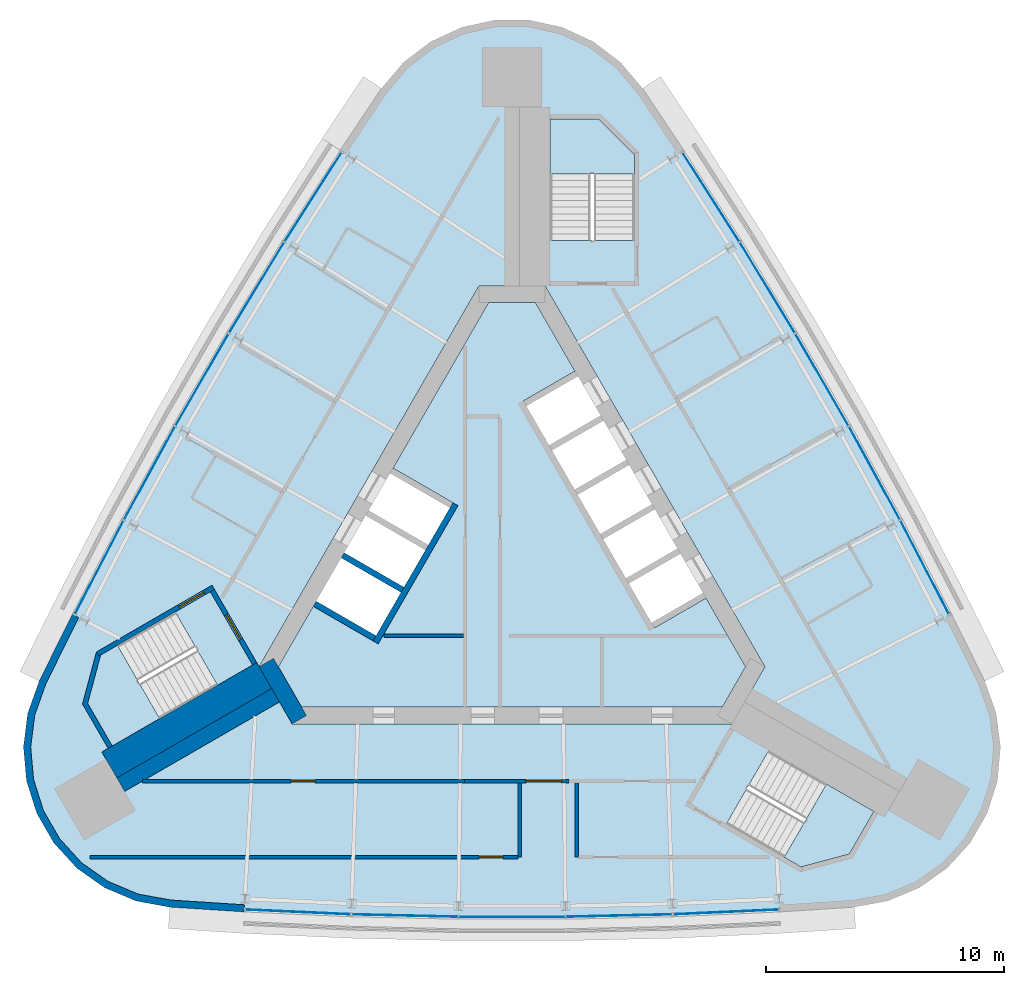
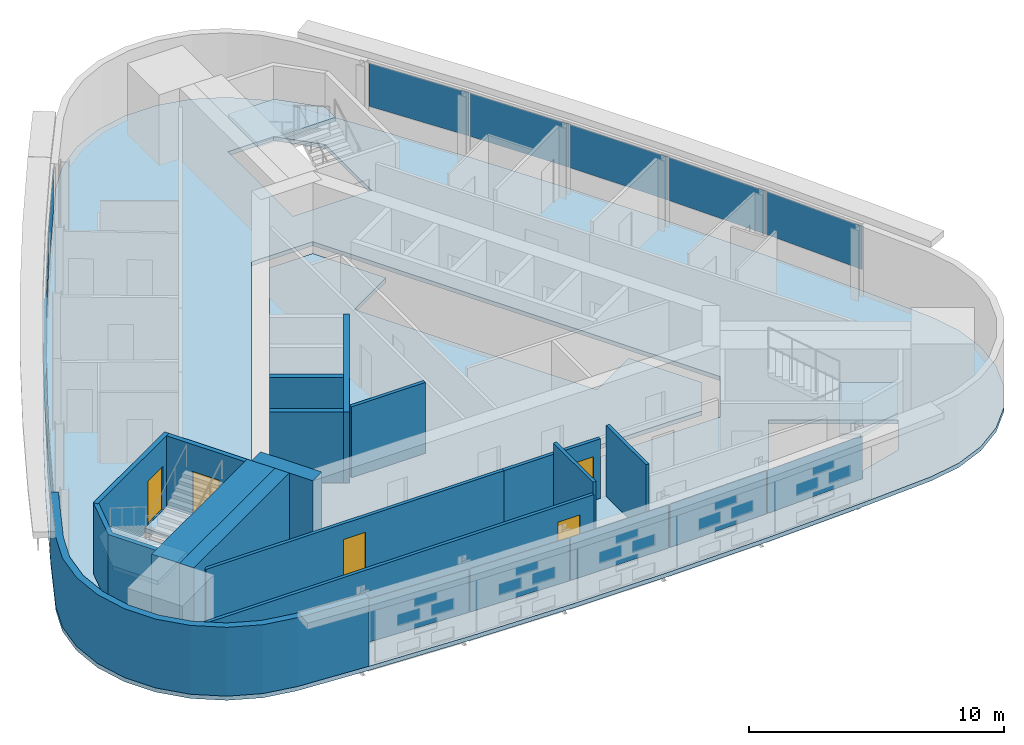
# One storey, part 5 of 9: 16 walls, 15 plates, 5 doors, 5 slabs, 5 openings, 6 elements without a shape of their own.
"""IFC4 building model written with IfcOpenShell, lengths in metres."""

from ifc_helpers import new_model, si_unit, direction, frame, frame_2d, origin, origin_2d, place, context, subcontext, project, spatial, polyline, rectangle, outline, extrude, material, layer, layer_set, type_object, element, fill, aggregate, save


model = new_model("IFC4")

# Units and contexts
model_context = context("Model", 3, precision=1e-05, world=origin(), true_north=direction((0.0, 1.0)))
body_context = subcontext(model_context, "Body", "Model", "MODEL_VIEW")
ifc_project = project(units=[si_unit("LENGTHUNIT", "METRE"), si_unit("AREAUNIT", "SQUARE_METRE"), si_unit("VOLUMEUNIT", "CUBIC_METRE"), si_unit("PLANEANGLEUNIT", "RADIAN"), si_unit("MASSUNIT", "GRAM", prefix="KILO")], contexts=[model_context])

# Site, building, storey
site_placement = place(None, origin())
site = spatial("IfcSite", under=ifc_project, at=site_placement, CompositionType="ELEMENT")
building_placement = place(site_placement, origin())
building = spatial("IfcBuilding", under=site, at=building_placement, Name="Noor Cloister Tower", CompositionType="ELEMENT")
storey_placement = place(building_placement, frame((0.0, 0.0, 232.800048828125)))
storey = spatial("IfcBuildingStorey", under=building, at=storey_placement, Name="L60", CompositionType="ELEMENT", Elevation=232.800048828125)

# Slabs
ifc_material_1 = material(Name="Concrete C40/50", Category="concrete")
ifc_layer_1 = layer(ifc_material_1, 0.199951171875)
ifc_layer_set_1 = layer_set([ifc_layer_1], Name="Core floor slab 200 C40/50")
slab_type_1 = type_object("IfcSlabType", Name="Core floor slab 200 C40/50", PredefinedType="FLOOR", material=ifc_layer_set_1)
slab_1_placement = place(storey_placement, frame((0.0, 0.0, -0.199951171875)))
element("IfcSlab", 1, at=slab_1_placement, inside=storey, type_object=slab_type_1, Name="Core floor L60", PredefinedType="FLOOR", context=body_context, shape_type="SweptSolid", body=[
    extrude(outline(polyline([(2.643798828125, 7.877197265625), (0.9814453125, 10.75634765625), (-0.9814453125, 10.75634765625), (-4.993896484375, 3.806884765625), (-2.482421875, 2.35693359375), (-5.832275390625, -3.4453125), (-8.34375, -1.995361328125), (-9.80615234375, -4.5283203125), (-8.82470703125, -6.228271484375), (8.82470703125, -6.228271484375), (9.80615234375, -4.5283203125), (8.143798828125, -1.64892578125), (5.978759765625, -2.89892578125), (0.478759765625, 6.627197265625), (2.643798828125, 7.877197265625)])), origin(), (0.0, 0.0, 1.0), 0.199951171875),
])
ifc_material_2 = material(Name="Concrete C40/50", Category="concrete")
ifc_layer_2 = layer(ifc_material_2, 0.199951171875)
ifc_layer_set_2 = layer_set([ifc_layer_2], Name="Floor slab 200 C40/50")
slab_type_2 = type_object("IfcSlabType", Name="Floor slab 200 C40/50", PredefinedType="FLOOR", material=ifc_layer_set_2)
slab_2_placement = place(storey_placement, frame((0.0, 0.0, -0.199951171875)))
element("IfcSlab", 2, at=slab_2_placement, inside=storey, type_object=slab_type_2, Name="Floor slab L60", PredefinedType="FLOOR", context=body_context, shape_type="SweptSolid", body=[
    extrude(outline(polyline([(5.47802734375, 19.7490234375), (4.55126953125, 20.839599609375), (3.412109375, 21.70556640625), (2.113037109375, 22.306396484375), (0.715576171875, 22.614013671875), (-0.715576171875, 22.614013671875), (-2.113037109375, 22.306396484375), (-3.412109375, 21.70556640625), (-4.55126953125, 20.839599609375), (-5.47802734375, 19.7490234375), (-7.212646484375, 17.147705078125), (-9.63671875, 13.3564453125), (-11.974365234375, 9.511474609375), (-14.224365234375, 5.6142578125), (-16.385498046875, 1.66748046875), (-18.45654296875, -2.32763671875), (-19.842041015625, -5.13037109375), (-20.3232421875, -6.478271484375), (-20.503662109375, -7.89794921875), (-20.37451171875, -9.3232421875), (-19.942138671875, -10.687255859375), (-19.2265625, -11.9267578125), (-18.26123046875, -12.983154296875), (-17.091552734375, -13.8076171875), (-15.77197265625, -14.361328125), (-14.3642578125, -14.61865234375), (-11.243896484375, -14.820068359375), (-6.748779296875, -15.02392578125), (-2.25, -15.125732421875), (2.25, -15.125732421875), (6.748779296875, -15.02392578125), (11.243896484375, -14.820068359375), (14.3642578125, -14.61865234375), (15.77197265625, -14.361328125), (17.091552734375, -13.8076171875), (18.26123046875, -12.983154296875), (19.2265625, -11.9267578125), (19.942138671875, -10.687255859375), (20.37451171875, -9.3232421875), (20.503662109375, -7.89794921875), (20.3232421875, -6.478271484375), (19.842041015625, -5.13037109375), (18.45654296875, -2.32763671875), (16.385498046875, 1.66748046875), (14.224365234375, 5.6142578125), (11.974365234375, 9.511474609375), (9.63671875, 13.3564453125), (7.212646484375, 17.147705078125), (5.47802734375, 19.7490234375)]), holes=[polyline([(8.999755859375, -11.126220703125), (12.131591796875, -12.934326171875), (14.1572265625, -12.3916015625), (15.19091796875, -10.601318359375), (10.774658203125, -8.0517578125), (8.999755859375, -11.126220703125)]), polyline([(-17.81005859375, -6.064697265625), (-16.776611328125, -7.85498046875), (-12.3603515625, -5.305419921875), (-14.13525390625, -2.23095703125), (-16.662841796875, -3.690185546875), (-17.267333984375, -4.039306640625), (-17.81005859375, -6.064697265625)]), polyline([(-10.6142578125, -4.5283203125), (-9.228759765625, -6.92822265625), (9.228759765625, -6.92822265625), (10.6142578125, -4.5283203125), (1.3857421875, 11.456298828125), (-1.3857421875, 11.456298828125), (-10.6142578125, -4.5283203125)]), polyline([(3.65283203125, 18.456298828125), (1.585693359375, 18.456298828125), (1.585693359375, 13.35693359375), (5.135498046875, 13.35693359375), (5.135498046875, 16.9736328125), (3.65283203125, 18.456298828125)])]), origin(), (0.0, 0.0, 1.0), 0.199951171875),
])

# Curtain wall, plates
ifc_material_3 = material(Name="Aluminium 6063-T6 anodised", Category="aluminium")
curtain_wall_type = type_object("IfcCurtainWallType", Name="Ribbon curtain wall, upper tower CW5", PredefinedType="NOTDEFINED", material=ifc_material_3)
curtain_wall_1_placement = place(storey_placement, origin())
curtain_wall_1 = element("IfcCurtainWall", 3, at=curtain_wall_1_placement, inside=storey, type_object=curtain_wall_type, Name="CW5 L60 NW run 1", PredefinedType="NOTDEFINED")
ifc_material_4 = material(Name="Clear laminated glass 2 x 8 mm", Category="glass")
ifc_layer_3 = layer(ifc_material_4, 0.028076171875)
ifc_layer_set_3 = layer_set([ifc_layer_3], Name="Glass panel CW5")
plate_type = type_object("IfcPlateType", Name="Glass panel CW5", PredefinedType="CURTAIN_PANEL", material=ifc_layer_set_3)
plate_1_placement = place(storey_placement, frame((-8.349609375, 15.183837890625, 1.08984375), z_axis=(0.0, 0.0, 1.0), x_axis=(-0.538705499547, -0.842494145237, 0.0)))
plate_1 = element("IfcPlate", 4, at=plate_1_placement, type_object=plate_type, Name="CW5 glass panel 1", PredefinedType="CURTAIN_PANEL", context=body_context, shape_type="SweptSolid", body=[
    extrude(rectangle(XDim=4.413818359375, YDim=0.028076171875, at=origin_2d()), origin(), (0.0, 0.0, 1.0), 2.070068359375),
])
plate_2_placement = place(storey_placement, frame((-10.719970703125, 11.382080078125, 1.08984375), z_axis=(0.0, 0.0, 1.0), x_axis=(-0.519486004363, -0.85447895894, 0.0)))
plate_2 = element("IfcPlate", 5, at=plate_2_placement, type_object=plate_type, Name="CW5 glass panel 2", PredefinedType="CURTAIN_PANEL", context=body_context, shape_type="SweptSolid", body=[
    extrude(rectangle(XDim=4.44775390625, YDim=0.028076171875, at=origin_2d()), origin(), (0.0, 0.0, 1.0), 2.070068359375),
])
plate_3_placement = place(storey_placement, frame((-13.0126953125, 7.512939453125, 1.08984375), z_axis=(0.0, 0.0, 1.0), x_axis=(-0.5, -0.866025403784, 0.0)))
plate_3 = element("IfcPlate", 6, at=plate_3_placement, type_object=plate_type, Name="CW5 glass panel 3", PredefinedType="CURTAIN_PANEL", context=body_context, shape_type="SweptSolid", body=[
    extrude(rectangle(XDim=4.44775390625, YDim=0.028076171875, at=origin_2d()), origin(), (0.0, 0.0, 1.0), 2.070068359375),
])
plate_4_placement = place(storey_placement, frame((-15.217041015625, 3.5927734375, 1.08984375), z_axis=(0.0, 0.0, 1.0), x_axis=(-0.480257483259, -0.877127556159, 0.0)))
plate_4 = element("IfcPlate", 7, at=plate_4_placement, type_object=plate_type, Name="CW5 glass panel 4", PredefinedType="CURTAIN_PANEL", context=body_context, shape_type="SweptSolid", body=[
    extrude(rectangle(XDim=4.44775390625, YDim=0.028076171875, at=origin_2d()), origin(), (0.0, 0.0, 1.0), 2.070068359375),
])
plate_5_placement = place(storey_placement, frame((-17.324462890625, -0.361083984375, 1.08984375), z_axis=(0.0, 0.0, 1.0), x_axis=(-0.460268582541, -0.887779720384, 0.0)))
plate_5 = element("IfcPlate", 8, at=plate_5_placement, type_object=plate_type, Name="CW5 glass panel 5", PredefinedType="CURTAIN_PANEL", context=body_context, shape_type="SweptSolid", body=[
    extrude(rectangle(XDim=4.413818359375, YDim=0.028076171875, at=origin_2d()), origin(), (0.0, 0.0, 1.0), 2.070068359375),
])
aggregate(curtain_wall_1, [plate_1, plate_2, plate_3, plate_4, plate_5])

curtain_wall_2_placement = place(storey_placement, origin())
curtain_wall_2 = element("IfcCurtainWall", 9, at=curtain_wall_2_placement, inside=storey, type_object=curtain_wall_type, Name="CW5 L60 S run 2", PredefinedType="NOTDEFINED")
plate_6_placement = place(storey_placement, frame((-8.974853515625, -14.82275390625, 1.08984375), z_axis=(0.0, 0.0, 1.0), x_axis=(0.998974082088, -0.045285575148, 0.0)))
plate_6 = element("IfcPlate", 10, at=plate_6_placement, type_object=plate_type, Name="CW5 glass panel 1", PredefinedType="CURTAIN_PANEL", context=body_context, shape_type="SweptSolid", body=[
    extrude(rectangle(XDim=4.413818359375, YDim=0.028076171875, at=origin_2d()), origin(), (0.0, 0.0, 1.0), 2.070068359375),
])
plate_7_placement = place(storey_placement, frame((-4.4970703125, -14.974853515625, 1.08984375), z_axis=(0.0, 0.0, 1.0), x_axis=(0.999743487623, -0.022648597219, 0.0)))
plate_7 = element("IfcPlate", 11, at=plate_7_placement, type_object=plate_type, Name="CW5 glass panel 2", PredefinedType="CURTAIN_PANEL", context=body_context, shape_type="SweptSolid", body=[
    extrude(rectangle(XDim=4.44775390625, YDim=0.028076171875, at=origin_2d()), origin(), (0.0, 0.0, 1.0), 2.070068359375),
])
plate_8_placement = place(storey_placement, frame((0.0, -15.02587890625, 1.08984375), z_axis=(0.0, 0.0, 1.0), x_axis=(1.0, 0.0, 0.0)))
plate_8 = element("IfcPlate", 12, at=plate_8_placement, type_object=plate_type, Name="CW5 glass panel 3", PredefinedType="CURTAIN_PANEL", context=body_context, shape_type="SweptSolid", body=[
    extrude(rectangle(XDim=4.44775390625, YDim=0.028076171875, at=origin_2d()), origin(), (0.0, 0.0, 1.0), 2.070068359375),
])
plate_9_placement = place(storey_placement, frame((4.4970703125, -14.974853515625, 1.08984375), z_axis=(0.0, 0.0, 1.0), x_axis=(0.999743487623, 0.022648597219, 0.0)))
plate_9 = element("IfcPlate", 13, at=plate_9_placement, type_object=plate_type, Name="CW5 glass panel 4", PredefinedType="CURTAIN_PANEL", context=body_context, shape_type="SweptSolid", body=[
    extrude(rectangle(XDim=4.44775390625, YDim=0.028076171875, at=origin_2d()), origin(), (0.0, 0.0, 1.0), 2.070068359375),
])
plate_10_placement = place(storey_placement, frame((8.974853515625, -14.82275390625, 1.08984375), z_axis=(0.0, 0.0, 1.0), x_axis=(0.998974082088, 0.045285575148, 0.0)))
plate_10 = element("IfcPlate", 14, at=plate_10_placement, type_object=plate_type, Name="CW5 glass panel 5", PredefinedType="CURTAIN_PANEL", context=body_context, shape_type="SweptSolid", body=[
    extrude(rectangle(XDim=4.413818359375, YDim=0.028076171875, at=origin_2d()), origin(), (0.0, 0.0, 1.0), 2.070068359375),
])
aggregate(curtain_wall_2, [plate_6, plate_7, plate_8, plate_9, plate_10])

curtain_wall_3_placement = place(storey_placement, origin())
curtain_wall_3 = element("IfcCurtainWall", 15, at=curtain_wall_3_placement, inside=storey, type_object=curtain_wall_type, Name="CW5 L60 NE run 3", PredefinedType="NOTDEFINED")
plate_11_placement = place(storey_placement, frame((17.324462890625, -0.361083984375, 1.08984375), z_axis=(0.0, 0.0, 1.0), x_axis=(-0.460268582541, 0.887779720384, 0.0)))
plate_11 = element("IfcPlate", 16, at=plate_11_placement, type_object=plate_type, Name="CW5 glass panel 1", PredefinedType="CURTAIN_PANEL", context=body_context, shape_type="SweptSolid", body=[
    extrude(rectangle(XDim=4.413818359375, YDim=0.028076171875, at=origin_2d()), origin(), (0.0, 0.0, 1.0), 2.070068359375),
])
plate_12_placement = place(storey_placement, frame((15.217041015625, 3.5927734375, 1.08984375), z_axis=(0.0, 0.0, 1.0), x_axis=(-0.480257483259, 0.877127556159, 0.0)))
plate_12 = element("IfcPlate", 17, at=plate_12_placement, type_object=plate_type, Name="CW5 glass panel 2", PredefinedType="CURTAIN_PANEL", context=body_context, shape_type="SweptSolid", body=[
    extrude(rectangle(XDim=4.44775390625, YDim=0.028076171875, at=origin_2d()), origin(), (0.0, 0.0, 1.0), 2.070068359375),
])
plate_13_placement = place(storey_placement, frame((13.0126953125, 7.512939453125, 1.08984375), z_axis=(0.0, 0.0, 1.0), x_axis=(-0.5, 0.866025403784, 0.0)))
plate_13 = element("IfcPlate", 18, at=plate_13_placement, type_object=plate_type, Name="CW5 glass panel 3", PredefinedType="CURTAIN_PANEL", context=body_context, shape_type="SweptSolid", body=[
    extrude(rectangle(XDim=4.44775390625, YDim=0.028076171875, at=origin_2d()), origin(), (0.0, 0.0, 1.0), 2.070068359375),
])
plate_14_placement = place(storey_placement, frame((10.719970703125, 11.382080078125, 1.08984375), z_axis=(0.0, 0.0, 1.0), x_axis=(-0.519486004363, 0.85447895894, 0.0)))
plate_14 = element("IfcPlate", 19, at=plate_14_placement, type_object=plate_type, Name="CW5 glass panel 4", PredefinedType="CURTAIN_PANEL", context=body_context, shape_type="SweptSolid", body=[
    extrude(rectangle(XDim=4.44775390625, YDim=0.028076171875, at=origin_2d()), origin(), (0.0, 0.0, 1.0), 2.070068359375),
])
plate_15_placement = place(storey_placement, frame((8.349609375, 15.183837890625, 1.08984375), z_axis=(0.0, 0.0, 1.0), x_axis=(-0.538705499547, 0.842494145237, 0.0)))
plate_15 = element("IfcPlate", 20, at=plate_15_placement, type_object=plate_type, Name="CW5 glass panel 5", PredefinedType="CURTAIN_PANEL", context=body_context, shape_type="SweptSolid", body=[
    extrude(rectangle(XDim=4.413818359375, YDim=0.028076171875, at=origin_2d()), origin(), (0.0, 0.0, 1.0), 2.070068359375),
])
aggregate(curtain_wall_3, [plate_11, plate_12, plate_13, plate_14, plate_15])

# Stair, slab
ifc_material_5 = material(Name="Concrete C40/50", Category="concrete")
stair_type = type_object("IfcStairType", Name="Exit stair 22 risers", PredefinedType="HALF_TURN_STAIR", material=ifc_material_5)
stair_1_placement = place(storey_placement, origin())
stair_1 = element("IfcStair", 21, at=stair_1_placement, inside=storey, type_object=stair_type, Name="Exit stair ST1 L60", PredefinedType="HALF_TURN_STAIR")
ifc_material_6 = material(Name="Concrete C40/50", Category="concrete")
ifc_layer_4 = layer(ifc_material_6, 0.199951171875)
ifc_layer_set_4 = layer_set([ifc_layer_4], Name="Stair landing 200 C40/50")
slab_type_3 = type_object("IfcSlabType", Name="Stair landing 200 C40/50", PredefinedType="LANDING", material=ifc_layer_set_4)
slab_3_placement = place(storey_placement, frame((0.0, 0.0, 1.599853515625)))
slab_3 = element("IfcSlab", 22, at=slab_3_placement, type_object=slab_type_3, Name="ST1 landing 1", PredefinedType="LANDING", context=body_context, shape_type="SweptSolid", body=[
    extrude(outline(polyline([(5.135498046875, 16.15576171875), (5.135498046875, 16.9736328125), (3.65283203125, 18.456298828125), (1.585693359375, 18.456298828125), (1.585693359375, 16.15576171875), (5.135498046875, 16.15576171875)])), origin(), (0.0, 0.0, 1.0), 0.2001953125),
])
aggregate(stair_1, [slab_3])

stair_2_placement = place(storey_placement, origin())
stair_2 = element("IfcStair", 23, at=stair_2_placement, inside=storey, type_object=stair_type, Name="Exit stair ST2 L60", PredefinedType="HALF_TURN_STAIR")
slab_4_placement = place(storey_placement, frame((0.0, 0.0, 1.599853515625)))
slab_4 = element("IfcSlab", 24, at=slab_4_placement, type_object=slab_type_3, Name="ST2 landing 1", PredefinedType="LANDING", context=body_context, shape_type="SweptSolid", body=[
    extrude(outline(polyline([(-16.55908203125, -3.63037109375), (-17.267333984375, -4.039306640625), (-17.81005859375, -6.064697265625), (-16.776611328125, -7.85498046875), (-14.7841796875, -6.70458984375), (-16.55908203125, -3.63037109375)])), origin(), (0.0, 0.0, 1.0), 0.2001953125),
])
aggregate(stair_2, [slab_4])

stair_3_placement = place(storey_placement, origin())
stair_3 = element("IfcStair", 25, at=stair_3_placement, inside=storey, type_object=stair_type, Name="Exit stair ST3 L60", PredefinedType="HALF_TURN_STAIR")
slab_5_placement = place(storey_placement, frame((0.0, 0.0, 1.599853515625)))
slab_5 = element("IfcSlab", 26, at=slab_5_placement, type_object=slab_type_3, Name="ST3 landing 1", PredefinedType="LANDING", context=body_context, shape_type="SweptSolid", body=[
    extrude(outline(polyline([(11.423583984375, -12.525390625), (12.131591796875, -12.934326171875), (14.1572265625, -12.3916015625), (15.19091796875, -10.601318359375), (13.198486328125, -9.451171875), (11.423583984375, -12.525390625)])), origin(), (0.0, 0.0, 1.0), 0.2001953125),
])
aggregate(stair_3, [slab_5])

# Walls
ifc_material_7 = material(Name="Concrete C60/75", Category="concrete")
ifc_layer_5 = layer(ifc_material_7, 0.64990234375)
ifc_layer_set_5 = layer_set([ifc_layer_5], Name="Buttress wall 650 C60/75")
wall_type_1 = type_object("IfcWallType", Name="Buttress wall 650 C60/75", PredefinedType="SHEAR", material=ifc_layer_set_5)
wall_1_placement = place(storey_placement, frame((-9.921630859375, -5.728271484375, -0.199951171875), z_axis=(0.0, 0.0, 1.0), x_axis=(-0.866026891245, -0.499997423634, 0.0)))
element("IfcWall", 27, at=wall_1_placement, inside=storey, type_object=wall_type_1, Name="Buttress wall SW L60", PredefinedType="SHEAR", context=body_context, shape_type="SweptSolid", body=[
    extrude(rectangle(XDim=7.50634765625, YDim=0.64990234375, at=frame_2d((3.753173828125, 0.0))), origin(), (0.0, 0.0, 1.0), 3.599853515625),
])
ifc_material_8 = material(Name="Concrete C30/37", Category="concrete")
ifc_layer_6 = layer(ifc_material_8, 0.14990234375)
ifc_layer_set_6 = layer_set([ifc_layer_6], Name="Core partition 150 C30/37")
wall_type_2 = type_object("IfcWallType", Name="Core partition 150 C30/37", PredefinedType="PARTITIONING", material=ifc_layer_set_6)
wall_2_placement = place(storey_placement, frame((-5.373291015625, -3.228271484375, 0.0), z_axis=(0.0, 0.0, 1.0), x_axis=(1.0, 0.0, 0.0)))
element("IfcWall", 28, at=wall_2_placement, inside=storey, type_object=wall_type_2, Name="Core room partition L60 1", PredefinedType="PARTITIONING", context=body_context, shape_type="SweptSolid", body=[
    extrude(rectangle(XDim=3.344482421875, YDim=0.14990234375, at=frame_2d((1.67236328125, 0.0))), origin(), (0.0, 0.0, 1.0), 3.39990234375),
])
ifc_material_9 = material(Name="Concrete C60/75", Category="concrete")
ifc_layer_7 = layer(ifc_material_9, 0.699951171875)
ifc_layer_set_7 = layer_set([ifc_layer_7], Name="Core wall 700 C60/75")
wall_type_3 = type_object("IfcWallType", Name="Core wall 700 C60/75", PredefinedType="SHEAR", material=ifc_layer_set_7)
wall_3_placement = place(storey_placement, frame((-10.311279296875, -4.353271484375, -0.199951171875), z_axis=(0.0, 0.0, 1.0), x_axis=(0.500042739161, -0.866000726912, 0.0)))
element("IfcWall", 29, at=wall_3_placement, inside=storey, type_object=wall_type_3, Name="Core wall L60 6", PredefinedType="SHEAR", context=body_context, shape_type="SweptSolid", body=[
    extrude(rectangle(XDim=2.771240234375, YDim=0.699951171875, at=frame_2d((1.3857421875, 0.0))), origin(), (0.0, 0.0, 1.0), 3.599853515625),
])

# Wall, opening, door
ifc_material_10 = material(Name="Gypsum board partition on steel studs, 150 mm", Category="steel")
ifc_layer_8 = layer(ifc_material_10, 0.14990234375)
ifc_layer_set_8 = layer_set([ifc_layer_8], Name="Flat wall 150")
wall_type_4 = type_object("IfcWallType", Name="Flat wall 150", PredefinedType="PARTITIONING", material=ifc_layer_set_8)
wall_4_placement = place(storey_placement, frame((-15.5068359375, -9.328125, 0.0), z_axis=(0.0, 0.0, 1.0), x_axis=(1.0, 0.0, 0.0)))
wall_4 = element("IfcWall", 30, at=wall_4_placement, inside=storey, type_object=wall_type_4, Name="Wall L60-W11", PredefinedType="PARTITIONING", context=body_context, shape_type="SweptSolid", body=[
    extrude(rectangle(XDim=13.5224609375, YDim=0.14990234375, at=frame_2d((6.76123046875, 0.0))), origin(), (0.0, 0.0, 1.0), 2.85205078125),
])
opening_1_placement = place(wall_4_placement, frame((6.236328125, 0.0, 0.0)))
opening_1 = element("IfcOpeningElement", 31, at=opening_1_placement, cuts=wall_4, Name="Opening L60-009", PredefinedType="OPENING", context=body_context, shape_type="SweptSolid", body=[
    extrude(rectangle(XDim=1.0, YDim=2.10009765625, at=frame_2d((0.5, 1.050048828125))), frame((0.0, 0.0849609375, 0.0), z_axis=(0.0, -1.0, 0.0), x_axis=(1.0, 0.0, 0.0)), (0.0, 0.0, 1.0), 0.169921875),
])
ifc_material_11 = material(Name="Timber door leaf with steel frame", Category="steel")
door_type_1 = type_object("IfcDoorType", Name="Interior door 1000 FD60", OperationType="NOTDEFINED", PredefinedType="DOOR", material=ifc_material_11)
door_1_placement = place(opening_1_placement, origin())
door_1 = element("IfcDoor", 32, at=door_1_placement, inside=storey, type_object=door_type_1, Name="Door L60-009", OperationType="SINGLE_SWING_LEFT", OverallHeight=2.10009765625, OverallWidth=1.0, PredefinedType="DOOR", context=body_context, shape_type="SweptSolid", body=[
    extrude(rectangle(XDim=1.0, YDim=2.10009765625, at=frame_2d((0.5, 1.050048828125))), frame((0.0, 0.02490234375, 0.0), z_axis=(0.0, -1.0, 0.0), x_axis=(1.0, 0.0, 0.0)), (0.0, 0.0, 1.0), 0.050048828125),
])
fill(opening_1, door_1)

wall_5_placement = place(storey_placement, frame((-1.984375, -9.328125, 0.0), z_axis=(0.0, 0.0, 1.0), x_axis=(1.0, 0.0, 0.0)))
wall_5 = element("IfcWall", 33, at=wall_5_placement, inside=storey, type_object=wall_type_4, Name="Wall L60-W13", PredefinedType="PARTITIONING", context=body_context, shape_type="SweptSolid", body=[
    extrude(rectangle(XDim=4.36865234375, YDim=0.14990234375, at=frame_2d((2.184326171875, 0.0))), origin(), (0.0, 0.0, 1.0), 2.85205078125),
])
opening_2_placement = place(wall_5_placement, frame((2.5625, 0.0, 0.0)))
opening_2 = element("IfcOpeningElement", 34, at=opening_2_placement, cuts=wall_5, Name="Opening L60-007", PredefinedType="OPENING", context=body_context, shape_type="SweptSolid", body=[
    extrude(rectangle(XDim=1.5, YDim=2.10009765625, at=frame_2d((0.75, 1.050048828125))), frame((0.0, 0.0849609375, 0.0), z_axis=(0.0, -1.0, 0.0), x_axis=(1.0, 0.0, 0.0)), (0.0, 0.0, 1.0), 0.169921875),
])
ifc_material_12 = material(Name="Timber door leaf with steel frame", Category="steel")
door_type_2 = type_object("IfcDoorType", Name="Double door 1500 FD60", OperationType="NOTDEFINED", PredefinedType="DOOR", material=ifc_material_12)
door_2_placement = place(opening_2_placement, origin())
door_2 = element("IfcDoor", 35, at=door_2_placement, inside=storey, type_object=door_type_2, Name="Door L60-007", OperationType="DOUBLE_DOOR_SINGLE_SWING", OverallHeight=2.10009765625, OverallWidth=1.5, PredefinedType="DOOR", context=body_context, shape_type="SweptSolid", body=[
    extrude(rectangle(XDim=1.5, YDim=2.10009765625, at=frame_2d((0.75, 1.050048828125))), frame((0.0, 0.02490234375, 0.0), z_axis=(0.0, -1.0, 0.0), x_axis=(1.0, 0.0, 0.0)), (0.0, 0.0, 1.0), 0.050048828125),
])
fill(opening_2, door_2)

# Walls
for number, where, z_axis, x_axis, name in (
    (36, (0.322021484375, -9.4033203125, 0.0), (0.0, 0.0, 1.0), (0.0, -1.0, 0.0), "Wall L60-W14"),
    (37, (2.721923828125, -9.4033203125, 0.0), (0.0, 0.0, 1.0), (0.0, -1.0, 0.0), "Wall L60-W15"),
):
    element("IfcWall", number, at=place(storey_placement, frame(where, z_axis=z_axis, x_axis=x_axis)), inside=storey, type_object=wall_type_4, Name=name, PredefinedType="PARTITIONING", context=body_context, shape_type="SweptSolid", body=[
        extrude(rectangle(XDim=3.11376953125, YDim=0.14990234375, at=frame_2d((1.556884765625, 0.0))), origin(), (0.0, 0.0, 1.0), 3.39990234375),
    ])

# Wall, opening, door
wall_6_placement = place(storey_placement, frame((-17.707763671875, -12.51708984375, 0.0), z_axis=(0.0, 0.0, 1.0), x_axis=(1.0, 0.0, 0.0)))
wall_6 = element("IfcWall", 38, at=wall_6_placement, inside=storey, type_object=wall_type_4, Name="Wall L60-W16", PredefinedType="PARTITIONING", context=body_context, shape_type="SweptSolid", body=[
    extrude(rectangle(XDim=17.954833984375, YDim=0.14990234375, at=frame_2d((8.9775390625, 0.0))), origin(), (0.0, 0.0, 1.0), 2.85205078125),
])
opening_3_placement = place(wall_6_placement, frame((16.32958984375, 0.0, 0.0)))
opening_3 = element("IfcOpeningElement", 39, at=opening_3_placement, cuts=wall_6, Name="Opening L60-008", PredefinedType="OPENING", context=body_context, shape_type="SweptSolid", body=[
    extrude(rectangle(XDim=1.0, YDim=2.10009765625, at=frame_2d((0.5, 1.050048828125))), frame((0.0, 0.0849609375, 0.0), z_axis=(0.0, -1.0, 0.0), x_axis=(1.0, 0.0, 0.0)), (0.0, 0.0, 1.0), 0.169921875),
])
door_3_placement = place(opening_3_placement, origin())
door_3 = element("IfcDoor", 40, at=door_3_placement, inside=storey, type_object=door_type_1, Name="Door L60-008", OperationType="SINGLE_SWING_RIGHT", OverallHeight=2.10009765625, OverallWidth=1.0, PredefinedType="DOOR", context=body_context, shape_type="SweptSolid", body=[
    extrude(rectangle(XDim=1.0, YDim=2.10009765625, at=frame_2d((0.5, 1.050048828125))), frame((0.0, 0.02490234375, 0.0), z_axis=(0.0, -1.0, 0.0), x_axis=(1.0, 0.0, 0.0)), (0.0, 0.0, 1.0), 0.050048828125),
])
fill(opening_3, door_3)

# Walls
ifc_material_13 = material(Name="Limestone", Category="masonry")
ifc_layer_9 = layer(ifc_material_13, 0.300048828125)
ifc_layer_set_9 = layer_set([ifc_layer_9], Name="Limestone cladding 300")
wall_type_5 = type_object("IfcWallType", Name="Limestone cladding 300", PredefinedType="NOTDEFINED", material=ifc_layer_set_9)
wall_7_placement = place(storey_placement, origin())
element("IfcWall", 41, at=wall_7_placement, inside=storey, type_object=wall_type_5, Name="Limestone pier cladding L60 1.1", PredefinedType="NOTDEFINED", context=body_context, shape_type="SweptSolid", body=[
    extrude(outline(polyline([(-18.45654296875, -2.32763671875), (-19.842041015625, -5.13037109375), (-20.3232421875, -6.478271484375), (-20.503662109375, -7.89794921875), (-20.37451171875, -9.3232421875), (-19.942138671875, -10.687255859375), (-19.2265625, -11.9267578125), (-18.26123046875, -12.983154296875), (-17.091552734375, -13.8076171875), (-15.77197265625, -14.361328125), (-14.3642578125, -14.61865234375), (-11.243896484375, -14.820068359375), (-11.224609375, -14.520751953125), (-14.327392578125, -14.3203125), (-15.68603515625, -14.072021484375), (-16.9453125, -13.543701171875), (-18.061767578125, -12.7568359375), (-18.98291015625, -11.748291015625), (-19.666015625, -10.565673828125), (-20.07861328125, -9.263671875), (-20.201904296875, -7.9033203125), (-20.02978515625, -6.54833984375), (-19.5654296875, -5.247802734375), (-18.1875, -2.46044921875), (-18.45654296875, -2.32763671875)])), origin(), (0.0, 0.0, 1.0), 3.300048828125),
])
ifc_material_14 = material(Name="Concrete C60/75", Category="concrete")
ifc_layer_10 = layer(ifc_material_14, 0.25)
ifc_layer_set_10 = layer_set([ifc_layer_10], Name="Shaft wall 250 C60/75")
wall_type_6 = type_object("IfcWallType", Name="Shaft wall 250 C60/75", PredefinedType="PARTITIONING", material=ifc_layer_set_10)
for number, where, z_axis, x_axis, name in (
    (42, (-7.106201171875, 0.14794921875, -0.199951171875), (0.0, 0.0, 1.0), (0.866032775405, -0.499987231761, 0.0), "Lift shaft wall L60 NW 5"),
    (43, (-8.28125, -1.88720703125, -0.199951171875), (0.0, 0.0, 1.0), (0.866032775405, -0.499987231761, 0.0), "Lift shaft wall L60 NW 6"),
):
    element("IfcWall", number, at=place(storey_placement, frame(where, z_axis=z_axis, x_axis=x_axis)), inside=storey, type_object=wall_type_6, Name=name, PredefinedType="PARTITIONING", context=body_context, shape_type="SweptSolid", body=[
        extrude(rectangle(XDim=2.89990234375, YDim=0.25, at=frame_2d((1.449951171875, 0.0))), origin(), (0.0, 0.0, 1.0), 3.599853515625),
    ])
wall_8_placement = place(storey_placement, frame((-2.3740234375, 2.29443359375, 0.0), z_axis=(0.0, 0.0, 1.0), x_axis=(-0.500003174267, -0.866023571113, 0.0)))
element("IfcWall", 44, at=wall_8_placement, inside=storey, type_object=wall_type_6, Name="Lift shaft back wall L60 NW", PredefinedType="PARTITIONING", context=body_context, shape_type="SweptSolid", body=[
    extrude(rectangle(XDim=6.7001953125, YDim=0.25, at=frame_2d((3.35009765625, 0.0))), origin(), (0.0, 0.0, 1.0), 3.39990234375),
])
ifc_material_15 = material(Name="Concrete C60/75", Category="concrete")
ifc_layer_11 = layer(ifc_material_15, 1.260986328125)
ifc_layer_set_11 = layer_set([ifc_layer_11], Name="Stair enclosure wall 1261 C60/75")
wall_type_7 = type_object("IfcWallType", Name="Stair enclosure wall 1261 C60/75", PredefinedType="SHEAR", material=ifc_layer_set_11)
wall_9_placement = place(storey_placement, frame((-10.399169921875, -4.90087890625, -0.199951171875), z_axis=(0.0, 0.0, 1.0), x_axis=(-0.866020939036, -0.500007733091, 0.0)))
element("IfcWall", 45, at=wall_9_placement, inside=storey, type_object=wall_type_7, Name="Stair enclosure wall ST2 L60 riser side", PredefinedType="SHEAR", context=body_context, shape_type="SweptSolid", body=[
    extrude(rectangle(XDim=7.5068359375, YDim=1.2607421875, at=frame_2d((3.75341796875, 0.0))), origin(), (0.0, 0.0, 1.0), 3.599853515625),
])

# Wall, opening, door
ifc_material_16 = material(Name="Concrete C60/75", Category="concrete")
ifc_layer_12 = layer(ifc_material_16, 0.199951171875)
ifc_layer_set_12 = layer_set([ifc_layer_12], Name="Stair enclosure wall 200 C60/75")
wall_type_8 = type_object("IfcWallType", Name="Stair enclosure wall 200 C60/75", PredefinedType="SHEAR", material=ifc_layer_set_12)
wall_10_placement = place(storey_placement, frame((-12.575927734375, -1.33056640625, -0.199951171875), z_axis=(0.0, 0.0, 1.0), x_axis=(0.499970499736, -0.8660424351, 0.0)))
wall_10 = element("IfcWall", 46, at=wall_10_placement, inside=storey, type_object=wall_type_8, Name="Stair enclosure wall ST2 L60 near end", PredefinedType="SHEAR", context=body_context, shape_type="SweptSolid", body=[
    extrude(rectangle(XDim=3.550048828125, YDim=0.199951171875, at=frame_2d((1.77490234375, 0.0))), origin(), (0.0, 0.0, 1.0), 3.599853515625),
])
opening_4_placement = place(wall_10_placement, frame((1.175048828125, 0.0, 0.199951171875)))
opening_4 = element("IfcOpeningElement", 47, at=opening_4_placement, cuts=wall_10, Name="Opening L60-ST2L", PredefinedType="OPENING", context=body_context, shape_type="SweptSolid", body=[
    extrude(rectangle(XDim=1.199951171875, YDim=2.10009765625, at=frame_2d((0.60009765625, 1.050048828125))), frame((0.0, 0.10986328125, 0.0), z_axis=(0.0, -1.0, 0.0), x_axis=(1.0, 0.0, 0.0)), (0.0, 0.0, 1.0), 0.219970703125),
])
ifc_material_17 = material(Name="Steel", Category="steel")
door_type_3 = type_object("IfcDoorType", Name="Stair door 1200 x 2100 FD120", OperationType="SINGLE_SWING_LEFT", PredefinedType="DOOR", material=ifc_material_17)
door_4_placement = place(opening_4_placement, origin())
door_4 = element("IfcDoor", 48, at=door_4_placement, inside=storey, type_object=door_type_3, Name="Stair door ST2 L60", OperationType="SINGLE_SWING_RIGHT", OverallHeight=2.10009765625, OverallWidth=1.199951171875, PredefinedType="DOOR", context=body_context, shape_type="SweptSolid", body=[
    extrude(rectangle(XDim=1.199951171875, YDim=2.10009765625, at=frame_2d((0.60009765625, 1.050048828125))), frame((0.0, 0.02490234375, 0.0), z_axis=(0.0, -1.0, 0.0), x_axis=(1.0, 0.0, 0.0)), (0.0, 0.0, 1.0), 0.050048828125),
])
fill(opening_4, door_4)

wall_11_placement = place(storey_placement, frame((-12.539306640625, -1.194091796875, -0.199951171875), z_axis=(0.0, 0.0, 1.0), x_axis=(-0.866045472092, -0.499965239061, 0.0)))
wall_11 = element("IfcWall", 49, at=wall_11_placement, inside=storey, type_object=wall_type_8, Name="Stair enclosure wall ST2 L60 outer side", PredefinedType="SHEAR", context=body_context, shape_type="SweptSolid", body=[
    extrude(rectangle(XDim=5.60009765625, YDim=0.199951171875, at=frame_2d((2.800048828125, 0.0))), origin(), (0.0, 0.0, 1.0), 3.599853515625),
])
opening_5_placement = place(wall_11_placement, frame((0.449951171875, 0.0, 0.199951171875)))
opening_5 = element("IfcOpeningElement", 50, at=opening_5_placement, cuts=wall_11, Name="Opening L60-ST2C", PredefinedType="OPENING", context=body_context, shape_type="SweptSolid", body=[
    extrude(rectangle(XDim=1.199951171875, YDim=2.10009765625, at=frame_2d((0.60009765625, 1.050048828125))), frame((0.0, 0.10986328125, 0.0), z_axis=(0.0, -1.0, 0.0), x_axis=(1.0, 0.0, 0.0)), (0.0, 0.0, 1.0), 0.219970703125),
])
door_5_placement = place(opening_5_placement, origin())
door_5 = element("IfcDoor", 51, at=door_5_placement, inside=storey, type_object=door_type_3, Name="Stair door ST2 L60", OperationType="SINGLE_SWING_LEFT", OverallHeight=2.10009765625, OverallWidth=1.199951171875, PredefinedType="DOOR", context=body_context, shape_type="SweptSolid", body=[
    extrude(rectangle(XDim=1.199951171875, YDim=2.10009765625, at=frame_2d((0.60009765625, 1.050048828125))), frame((0.0, 0.02490234375, 0.0), z_axis=(0.0, -1.0, 0.0), x_axis=(1.0, 0.0, 0.0)), (0.0, 0.0, 1.0), 0.050048828125),
])
fill(opening_5, door_5)

# Wall
ifc_material_18 = material(Name="Concrete C60/75", Category="concrete")
wall_type_9 = type_object("IfcWallType", Name="Stair far end wall C60/75", PredefinedType="SHEAR", material=ifc_material_18)
wall_12_placement = place(storey_placement, frame((0.0, 0.0, -0.199951171875)))
element("IfcWall", 52, at=wall_12_placement, inside=storey, type_object=wall_type_9, Name="Stair enclosure wall ST2 L60 far end", PredefinedType="SHEAR", context=body_context, shape_type="SweptSolid", body=[
    extrude(outline(polyline([(-17.439208984375, -3.907470703125), (-18.024658203125, -6.093017578125), (-16.94970703125, -7.955078125), (-16.776611328125, -7.85498046875), (-17.81005859375, -6.064697265625), (-17.267333984375, -4.039306640625), (-17.339111328125, -4.08056640625), (-17.339111328125, -4.08056640625), (-17.339111328125, -4.08056640625), (-17.339111328125, -4.08056640625), (-17.339111328125, -4.08056640625), (-17.339111328125, -4.08056640625), (-17.339111328125, -4.08056640625), (-17.339111328125, -4.08056640625), (-17.339111328125, -4.08056640625), (-17.339111328125, -4.08056640625), (-17.339111328125, -4.08056640625), (-17.339111328125, -4.08056640625), (-17.339111328125, -4.08056640625), (-17.339111328125, -4.08056640625), (-17.339111328125, -4.08056640625), (-17.339111328125, -4.08056640625), (-17.339111328125, -4.08056640625), (-17.439208984375, -3.907470703125)])), origin(), (0.0, 0.0, 1.0), 3.599853515625),
])

save(model, "model.ifc")
